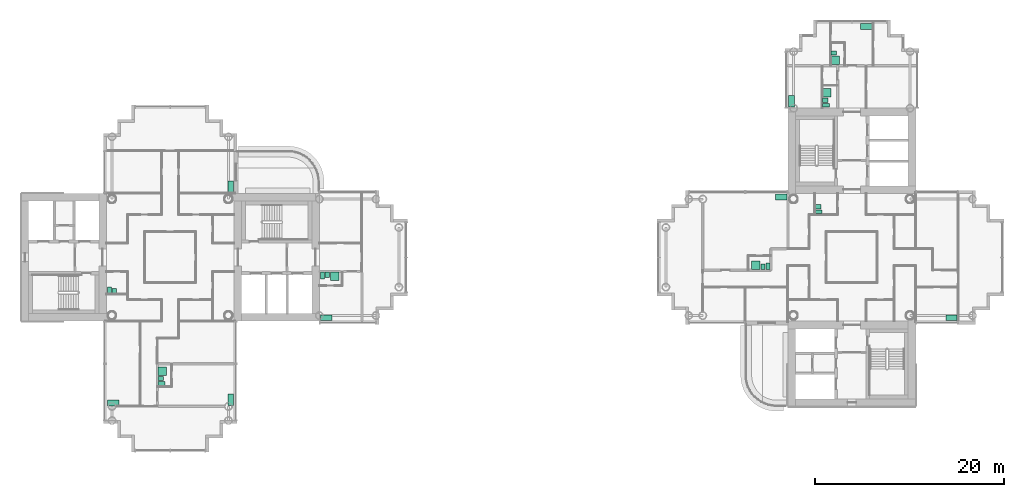
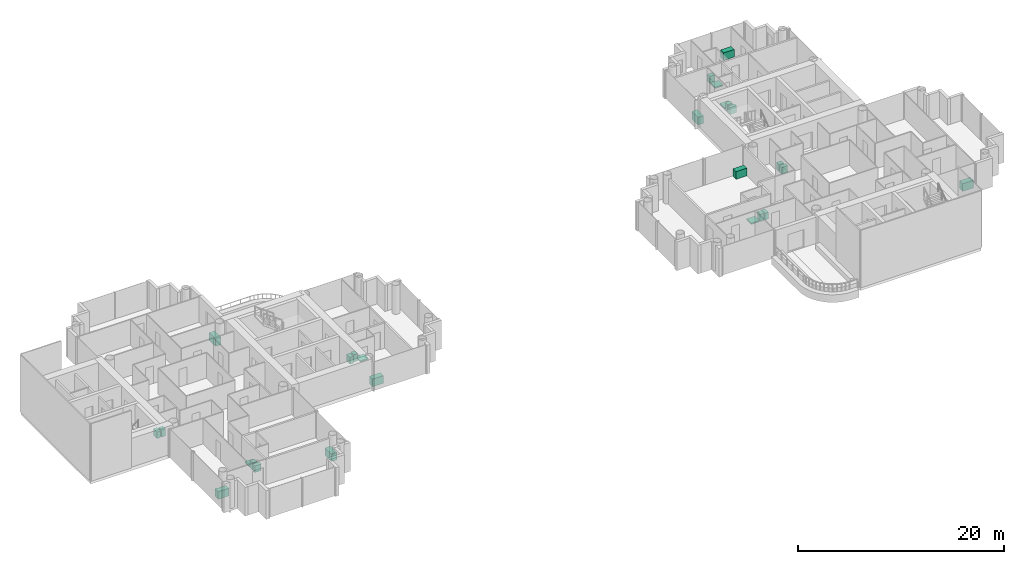
# One storey, part 19 of 19: 26 sanitary terminals.
"""IFC4 building model written with IfcOpenShell, lengths in metres."""

from ifc_helpers import new_model, si_unit, direction, frame, origin, origin_2d, place, context, subcontext, project, spatial, rectangle, extrude, material, type_object, element, save


model = new_model("IFC4")

# Units and contexts
model_context = context("Model", 3, precision=1e-05, world=origin(), true_north=direction((0.0, 1.0)))
body_context = subcontext(model_context, "Body", "Model", "MODEL_VIEW")
ifc_project = project(units=[si_unit("LENGTHUNIT", "METRE"), si_unit("AREAUNIT", "SQUARE_METRE"), si_unit("VOLUMEUNIT", "CUBIC_METRE"), si_unit("PLANEANGLEUNIT", "RADIAN"), si_unit("MASSUNIT", "GRAM", prefix="KILO")], contexts=[model_context])

# Site, building, storey
site_placement = place(None, origin())
site = spatial("IfcSite", under=ifc_project, at=site_placement, CompositionType="ELEMENT")
building_placement = place(site_placement, origin())
building = spatial("IfcBuilding", under=site, at=building_placement, Name="Ipe Terrace Towers", CompositionType="ELEMENT")
storey_placement = place(building_placement, frame((0.0, 0.0, 147.300048828125)))
storey = spatial("IfcBuildingStorey", under=building, at=storey_placement, Name="L40", CompositionType="ELEMENT", Elevation=147.300048828125)

# Sanitary terminals
ifc_material_1 = material(Name="Stainless sink unit", Category="metal")
sanitary_terminal_type_1 = type_object("IfcSanitaryTerminalType", Name="Kitchen sink unit", PredefinedType="SINK", material=ifc_material_1)
for number, where, z_axis, x_axis, name in (
    (1, (-29.6201171875, 7.469970703125, 0.0), (0.0, 0.0, 1.0), (0.0, -1.0, 0.0), "Kitchen sink unit"),
    (2, (-29.6201171875, -15.030029296875, 0.0), (0.0, 0.0, 1.0), (0.0, -1.0, 0.0), "Kitchen sink unit"),
    (3, (-42.030029296875, -15.3798828125, 0.0), (0.0, 0.0, 1.0), (-1.0, 0.0, 0.0), "Kitchen sink unit"),
    (4, (-19.530029296875, -6.3798828125, 0.0), (0.0, 0.0, 1.0), (-1.0, 0.0, 0.0), "Kitchen sink unit"),
    (5, (28.530029296875, 6.3798828125, 0.0), (0.0, 0.0, 1.0), (1.0, 0.0, 0.0), "Kitchen sink unit"),
    (6, (46.530029296875, -6.3798828125, 0.0), (0.0, 0.0, 1.0), (-1.0, 0.0, 0.0), "Kitchen sink unit"),
    (7, (29.6201171875, 16.469970703125, 0.0), (0.0, 0.0, 1.0), (0.0, 1.0, 0.0), "Kitchen sink unit"),
    (8, (37.530029296875, 24.3798828125, 0.0), (0.0, 0.0, 1.0), (1.0, 0.0, 0.0), "Kitchen sink unit"),
):
    element("IfcSanitaryTerminal", number, at=place(storey_placement, frame(where, z_axis=z_axis, x_axis=x_axis)), inside=storey, type_object=sanitary_terminal_type_1, Name=name, PredefinedType="SINK", context=body_context, shape_type="SweptSolid", body=[
        extrude(rectangle(XDim=1.199951171875, YDim=0.60009765625, at=origin_2d()), origin(), (0.0, 0.0, 1.0), 0.89990234375),
    ])
ifc_material_2 = material(Name="Acrylic", Category="plastic")
sanitary_terminal_type_2 = type_object("IfcSanitaryTerminalType", Name="Shower tray", PredefinedType="SHOWER", material=ifc_material_2)
for number, where, z_axis, x_axis, name in (
    (9, (-36.830078125, -12.030029296875, 0.0), (0.0, 0.0, 1.0), (1.0, 0.0, 0.0), "Shower tray"),
    (10, (-18.6298828125, -2.02001953125, 0.0), (0.0, 0.0, 1.0), (0.0, -1.0, 0.0), "Shower tray"),
    (11, (25.830078125, -0.830078125, 0.0), (0.0, 0.0, 1.0), (0.0, 1.0, 0.0), "Shower tray"),
    (12, (33.3701171875, 17.3701171875, 0.0), (0.0, 0.0, 1.0), (1.0, 0.0, 0.0), "Shower tray"),
    (13, (34.27001953125, 20.820068359375, 0.0), (0.0, 0.0, 1.0), (1.0, 0.0, 0.0), "Shower tray"),
):
    element("IfcSanitaryTerminal", number, at=place(storey_placement, frame(where, z_axis=z_axis, x_axis=x_axis)), inside=storey, type_object=sanitary_terminal_type_2, Name=name, PredefinedType="SHOWER", context=body_context, shape_type="SweptSolid", body=[
        extrude(rectangle(XDim=0.89990234375, YDim=0.89990234375, at=origin_2d()), origin(), (0.0, 0.0, 1.0), 0.14990234375),
    ])
ifc_material_3 = material(Name="Vitreous china", Category="ceramic")
sanitary_terminal_type_3 = type_object("IfcSanitaryTerminalType", Name="Wash basin", PredefinedType="WASHHANDBASIN", material=ifc_material_3)
for number, where, z_axis, x_axis, name in (
    (14, (-41.905029296875, -3.554931640625, 0.0), (0.0, 0.0, 1.0), (0.0, 1.0, 0.0), "Wash basin"),
    (15, (-37.0048828125, -12.804931640625, 0.0), (0.0, 0.0, 1.0), (1.0, 0.0, 0.0), "Wash basin"),
    (16, (-19.405029296875, -1.844970703125, 0.0), (0.0, 0.0, 1.0), (0.0, -1.0, 0.0), "Wash basin"),
    (17, (32.445068359375, 5.344970703125, 0.0), (0.0, 0.0, 1.0), (1.0, 0.0, 0.0), "Wash basin"),
    (18, (26.60498046875, -1.0048828125, 0.0), (0.0, 0.0, 1.0), (0.0, 1.0, 0.0), "Wash basin"),
    (19, (33.195068359375, 16.594970703125, 0.0), (0.0, 0.0, 1.0), (1.0, 0.0, 0.0), "Wash basin"),
    (20, (34.094970703125, 21.594970703125, 0.0), (0.0, 0.0, 1.0), (1.0, 0.0, 0.0), "Wash basin"),
):
    element("IfcSanitaryTerminal", number, at=place(storey_placement, frame(where, z_axis=z_axis, x_axis=x_axis)), inside=storey, type_object=sanitary_terminal_type_3, Name=name, PredefinedType="WASHHANDBASIN", context=body_context, shape_type="SweptSolid", body=[
        extrude(rectangle(XDim=0.550048828125, YDim=0.449951171875, at=origin_2d()), origin(), (0.0, 0.0, 1.0), 0.85009765625),
    ])
ifc_material_4 = material(Name="Vitreous china", Category="ceramic")
sanitary_terminal_type_4 = type_object("IfcSanitaryTerminalType", Name="Water closet", PredefinedType="TOILETPAN", material=ifc_material_4)
for number, where, z_axis, x_axis, name in (
    (21, (-42.429931640625, -3.47998046875, 0.0), (0.0, 0.0, 1.0), (0.0, 1.0, 0.0), "Water closet"),
    (22, (-36.929931640625, -13.330078125, 0.0), (0.0, 0.0, 1.0), (1.0, 0.0, 0.0), "Water closet"),
    (23, (-19.929931640625, -1.919921875, 0.0), (0.0, 0.0, 1.0), (0.0, -1.0, 0.0), "Water closet"),
    (24, (32.52001953125, 4.820068359375, 0.0), (0.0, 0.0, 1.0), (1.0, 0.0, 0.0), "Water closet"),
    (25, (27.1298828125, -0.929931640625, 0.0), (0.0, 0.0, 1.0), (0.0, 1.0, 0.0), "Water closet"),
    (26, (33.27001953125, 16.070068359375, 0.0), (0.0, 0.0, 1.0), (1.0, 0.0, 0.0), "Water closet"),
):
    element("IfcSanitaryTerminal", number, at=place(storey_placement, frame(where, z_axis=z_axis, x_axis=x_axis)), inside=storey, type_object=sanitary_terminal_type_4, Name=name, PredefinedType="TOILETPAN", context=body_context, shape_type="SweptSolid", body=[
        extrude(rectangle(XDim=0.699951171875, YDim=0.39990234375, at=origin_2d()), origin(), (0.0, 0.0, 1.0), 0.780029296875),
    ])

save(model, "model.ifc")
